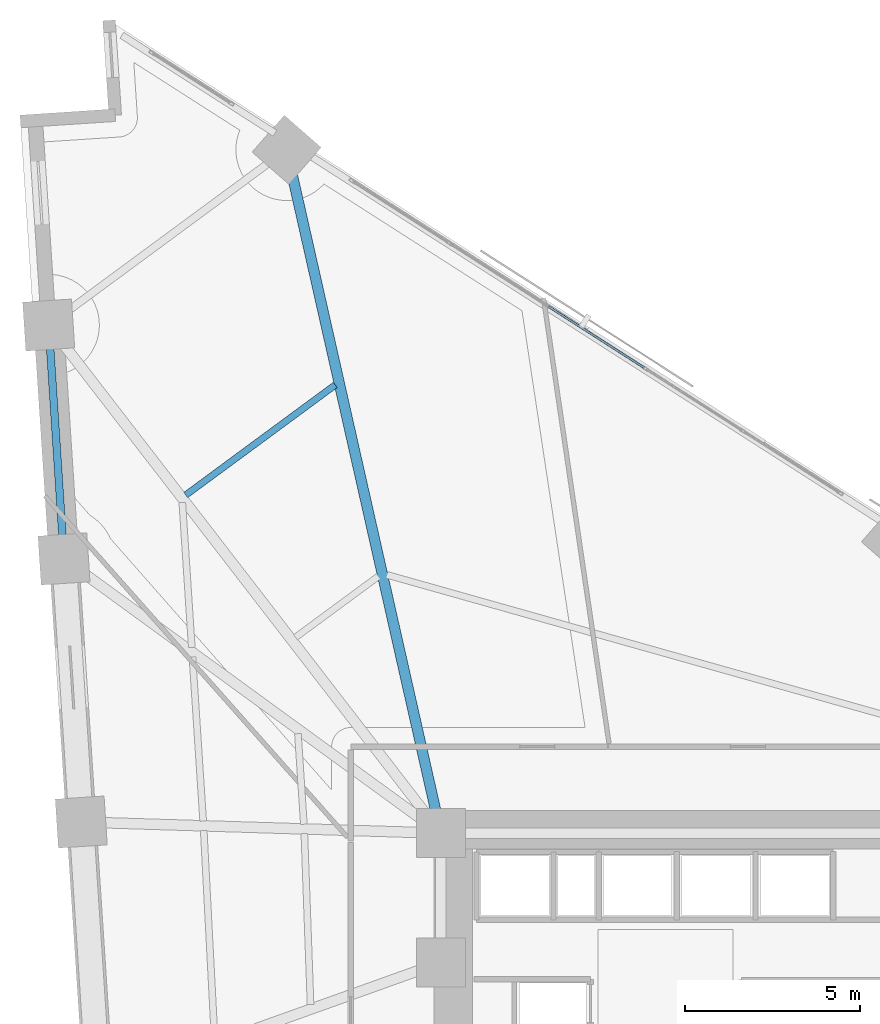
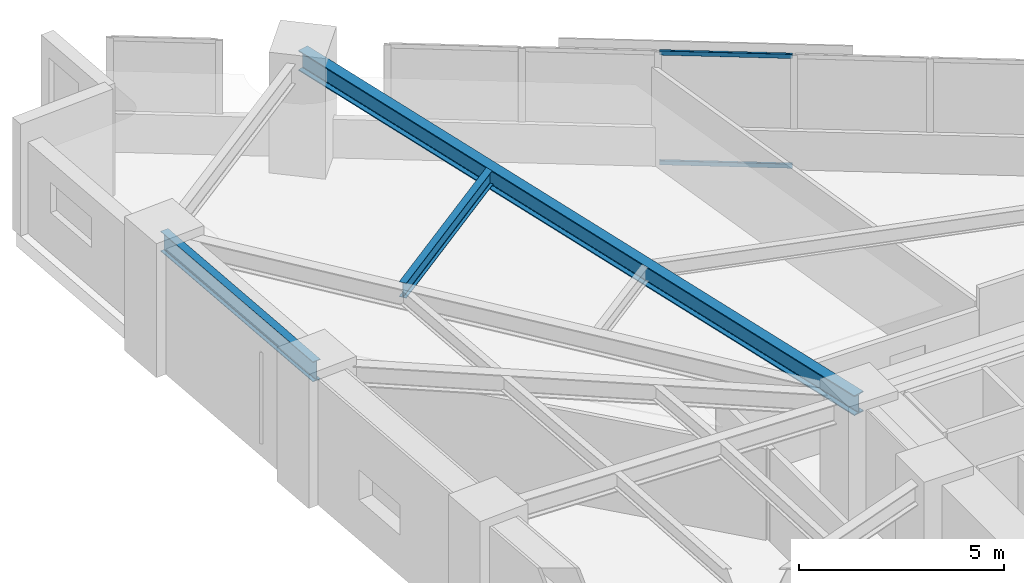
# One storey, part 8 of 17: 3 beams, 2 members, 1 element without a shape of its own.
"""IFC4 building model written with IfcOpenShell, lengths in metres."""

import ifcopenshell
import ifcopenshell.guid

model = None  # the IFC model being written
_history = None  # IfcOwnerHistory: only IFC2X3 demands one
_inside = {}  # id of a spatial element -> (the spatial element, [elements in it])
_under = {}  # id of a project, library or spatial element -> (it, [spatial elements below it])
_declared = {}  # id of a project -> (the project, [libraries it declares])
_typed = {}  # id of a type object -> (the type object, [elements of that type])
_made_of = {}  # id of a material, layer set ... -> (it, [elements and type objects made of it])


def new_model(schema):
    """Start an empty IFC model of exactly this schema.

    Asked for "IFC4X3", IfcOpenShell would pick the latest addendum, in which some entities
    have other attributes; the version numbers below select the first issue.
    IFC2X3 requires an IfcOwnerHistory on every rooted entity: one is made here for all.
    """
    global model, _history
    if schema == "IFC4X3":
        model = ifcopenshell.file(schema_version=(4, 3, 0, 0))
    else:
        model = ifcopenshell.file(schema=schema)
    _inside.clear()
    _under.clear()
    _declared.clear()
    _typed.clear()
    _made_of.clear()
    _history = None
    if model.schema == "IFC2X3":
        org = make("IfcOrganization", Name="unknown")
        user = make(
            "IfcPersonAndOrganization",
            ThePerson=make("IfcPerson", FamilyName="unknown"),
            TheOrganization=org,
        )
        app = make(
            "IfcApplication",
            ApplicationDeveloper=org,
            Version="unknown",
            ApplicationFullName="unknown",
            ApplicationIdentifier="unknown",
        )
        _history = make(
            "IfcOwnerHistory",
            OwningUser=user,
            OwningApplication=app,
            ChangeAction="ADDED",
            CreationDate=0,
        )
    return model


def make(cls, **values):
    """One entity of the class cls with the attributes given. An attribute that is None is left unset."""
    return model.create_entity(
        cls, **{name: value for name, value in values.items() if value is not None}
    )


def rooted(cls, **values):
    """An entity with a GlobalId (a new one), such as an element, a storey or a relation."""
    return make(cls, GlobalId=ifcopenshell.guid.new(), OwnerHistory=_history, **values)


def si_unit(unit_type, name, prefix=None):
    """IfcSIUnit, for example si_unit("LENGTHUNIT", "METRE", prefix="MILLI")."""
    return make("IfcSIUnit", UnitType=unit_type, Prefix=prefix, Name=name)


def assignment(units):
    """IfcUnitAssignment: the units of a project."""
    return None if units is None else make("IfcUnitAssignment", Units=units)


def point(xyz):
    """IfcCartesianPoint."""
    return None if xyz is None else make("IfcCartesianPoint", Coordinates=xyz)


def direction(xyz):
    """IfcDirection."""
    return None if xyz is None else make("IfcDirection", DirectionRatios=xyz)


def frame(location, z_axis=None, x_axis=None):
    """IfcAxis2Placement3D, a coordinate frame: its origin and axes. An axis left out is left unset."""
    return make(
        "IfcAxis2Placement3D",
        Location=point(location),
        Axis=direction(z_axis),
        RefDirection=direction(x_axis),
    )


def frame_2d(location, x_axis=None):
    """IfcAxis2Placement2D, a coordinate frame in the plane: its origin and x axis."""
    return make(
        "IfcAxis2Placement2D", Location=point(location), RefDirection=direction(x_axis)
    )


def origin():
    """The frame at (0, 0, 0) with its axes left unset."""
    return frame((0.0, 0.0, 0.0))


def origin_2d():
    """The frame at (0, 0) in the plane with its x axis left unset."""
    return frame_2d((0.0, 0.0))


def place(relative_to, where):
    """IfcLocalPlacement: puts the frame where relative to a parent placement (None: the world)."""
    return make(
        "IfcLocalPlacement", PlacementRelTo=relative_to, RelativePlacement=where
    )


def context(
    kind, dimensions, precision=None, world=None, true_north=None, identifier=None
):
    """IfcGeometricRepresentationContext, for example the 3D "Model" context."""
    return make(
        "IfcGeometricRepresentationContext",
        ContextIdentifier=identifier,
        ContextType=kind,
        CoordinateSpaceDimension=dimensions,
        Precision=precision,
        WorldCoordinateSystem=world,
        TrueNorth=true_north,
    )


def subcontext(parent, identifier, kind, view, scale=None):
    """IfcGeometricRepresentationSubContext, for example "Body" below "Model"."""
    return make(
        "IfcGeometricRepresentationSubContext",
        ContextIdentifier=identifier,
        ContextType=kind,
        ParentContext=parent,
        TargetScale=scale,
        TargetView=view,
    )


def project(units=None, contexts=None):
    """IfcProject with its units and contexts."""
    return rooted(
        "IfcProject",
        Name="project",
        RepresentationContexts=contexts,
        UnitsInContext=assignment(units),
    )


def spatial(cls, under=None, at=None, **own):
    """A site, building, storey or space (cls), placed at a placement, below another one or the project."""
    s = rooted(cls, ObjectPlacement=at, **own)
    if under is not None:
        _under.setdefault(under.id(), (under, []))[1].append(s)
    return s


def profile(cls, at=None, kind="AREA", **sizes):
    """A parametric profile (cls). Its sizes go by their IFC names, for example OverallWidth=200.0."""
    return make(cls, ProfileType=kind, Position=at, **sizes)


def hollow_rectangle(**sizes):
    """IfcRectangleHollowProfileDef."""
    return profile("IfcRectangleHollowProfileDef", **sizes)


def i_section(**sizes):
    """IfcIShapeProfileDef."""
    return profile("IfcIShapeProfileDef", **sizes)


def extrude(swept, where, along, depth):
    """IfcExtrudedAreaSolid: the profile swept, set in the frame where, extruded along a direction by depth."""
    return make(
        "IfcExtrudedAreaSolid",
        SweptArea=swept,
        Position=where,
        ExtrudedDirection=direction(along),
        Depth=depth,
    )


def shape(context_of_items, identifier, shape_type, items):
    """IfcShapeRepresentation: the items that make up one representation, for example the "Body"."""
    return make(
        "IfcShapeRepresentation",
        ContextOfItems=context_of_items,
        RepresentationIdentifier=identifier,
        RepresentationType=shape_type,
        Items=items,
    )


def material(Name=None, Category=None):
    """IfcMaterial."""
    return make("IfcMaterial", Name=Name, Category=Category)


def material_profile(
    of_material, cross_section, Name=None, Category=None, Priority=None
):
    """IfcMaterialProfile: a cross section and its material."""
    return make(
        "IfcMaterialProfile",
        Name=Name,
        Material=of_material,
        Profile=cross_section,
        Priority=Priority,
        Category=Category,
    )


def profile_set(profiles, Name=None, composite=None):
    """IfcMaterialProfileSet."""
    return make(
        "IfcMaterialProfileSet",
        Name=Name,
        MaterialProfiles=profiles,
        CompositeProfile=composite,
    )


def made_of(thing, what):
    """Note that an element or type object is made of a material, layer set ...; save() writes the relation."""
    if what is not None:
        _made_of.setdefault(what.id(), (what, []))[1].append(thing)
    return thing


def type_object(cls, material=None, **own):
    """A type object (cls), such as IfcWallType, which elements share."""
    return made_of(rooted(cls, **own), material)


def element(
    cls,
    number,
    at=None,
    inside=None,
    cuts=None,
    type_object=None,
    material=None,
    context=None,
    identifier="Body",
    shape_type=None,
    held_by="IfcProductDefinitionShape",
    body=None,
    shapes=None,
    **own,
):
    """One element of the class cls, such as IfcWall. Its Tag is "e" and its number.

    at: its placement. inside: the storey or other place that contains it. cuts: it is an
    opening in that element (IfcRelVoidsElement). A single representation is given by context,
    identifier, shape_type and body (its items); several are given by shapes. held_by: the class
    of the entity that holds the representations. save() writes the other relations.
    """
    e = rooted(cls, Tag="e%d" % number, ObjectPlacement=at, **own)
    if body is not None:
        shapes = [shape(context, identifier, shape_type, body)]
    if shapes is not None:
        e.Representation = make(held_by, Representations=shapes)
    if inside is not None:
        _inside.setdefault(inside.id(), (inside, []))[1].append(e)
    if cuts is not None:
        rooted(
            "IfcRelVoidsElement", RelatingBuildingElement=cuts, RelatedOpeningElement=e
        )
    if type_object is not None:
        _typed.setdefault(type_object.id(), (type_object, []))[1].append(e)
    return made_of(e, material)


def aggregate(whole, parts):
    """IfcRelAggregates: a whole, such as a stair, and the parts it consists of."""
    return rooted("IfcRelAggregates", RelatingObject=whole, RelatedObjects=parts)


def save(model, path):
    """Write the relations noted so far, then the file.

    IfcRelAggregates (storeys below a building ...), IfcRelContainedInSpatialStructure (elements
    in a storey), IfcRelDefinesByType, IfcRelAssociatesMaterial and IfcRelDeclares: one each for
    every whole, place, type object, material and project.
    """
    for whole, parts in _under.values():
        aggregate(whole, parts)
    for where, things in _inside.values():
        rooted(
            "IfcRelContainedInSpatialStructure",
            RelatedElements=things,
            RelatingStructure=where,
        )
    for kind, things in _typed.values():
        rooted("IfcRelDefinesByType", RelatedObjects=things, RelatingType=kind)
    for what, things in _made_of.values():
        rooted("IfcRelAssociatesMaterial", RelatedObjects=things, RelatingMaterial=what)
    for by, libraries in _declared.values():
        rooted("IfcRelDeclares", RelatingContext=by, RelatedDefinitions=libraries)
    model.write(path)


model = new_model("IFC4")

# Units and contexts
model_context = context("Model", 3, precision=1e-05, world=origin(), true_north=direction((0.0, 1.0)))
body_context = subcontext(model_context, "Body", "Model", "MODEL_VIEW")
ifc_project = project(units=[si_unit("LENGTHUNIT", "METRE"), si_unit("AREAUNIT", "SQUARE_METRE"), si_unit("VOLUMEUNIT", "CUBIC_METRE"), si_unit("PLANEANGLEUNIT", "RADIAN"), si_unit("MASSUNIT", "GRAM", prefix="KILO")], contexts=[model_context])

# Site, building, storey
site_placement = place(None, origin())
site = spatial("IfcSite", under=ifc_project, at=site_placement, CompositionType="ELEMENT")
building_placement = place(site_placement, origin())
building = spatial("IfcBuilding", under=site, at=building_placement, Name="Narakoshi Arena Tower", CompositionType="ELEMENT")
storey_placement = place(building_placement, frame((0.0, 0.0, 63.300048828125)))
storey = spatial("IfcBuildingStorey", under=building, at=storey_placement, Name="L16", CompositionType="ELEMENT", Elevation=63.300048828125)

# Beams
ifc_material_1 = material(Name="Structural steel S355J2", Category="steel")
ifc_material_profile_1 = material_profile(ifc_material_1, i_section(OverallWidth=0.219970703125, OverallDepth=0.60009765625, WebThickness=0.011962890625, FlangeThickness=0.01904296875, FilletRadius=0.02392578125, at=origin_2d()), Name="IPE600")
ifc_profile_set_1 = profile_set([ifc_material_profile_1], Name="Structural steel S355J2")
beam_type_1 = type_object("IfcBeamType", Name="BM-EDGE-600", PredefinedType="BEAM", material=ifc_profile_set_1)
beam_1_placement = place(storey_placement, frame((60.785400390625, 71.031005859375, 3.0400390625), z_axis=(0.065421350693, -0.997857728774, 0.0), x_axis=(0.997857728774, 0.065421350693, 0.0)))
element("IfcBeam", 1, at=beam_1_placement, inside=storey, type_object=beam_type_1, Name="L16 Perimeter Edge Girder 12", PredefinedType="BEAM", context=body_context, shape_type="SweptSolid", body=[
    extrude(i_section(OverallWidth=0.219970703125, OverallDepth=0.60009765625, WebThickness=0.011962890625, FlangeThickness=0.01904296875, FilletRadius=0.02392578125, at=origin_2d()), origin(), (0.0, 0.0, 1.0), 6.702392578125),
])
ifc_material_profile_2 = material_profile(ifc_material_1, i_section(OverallWidth=0.300048828125, OverallDepth=0.60009765625, WebThickness=0.015380859375, FlangeThickness=0.030029296875, FilletRadius=0.027099609375, at=origin_2d()), Name="HE600B")
ifc_profile_set_2 = profile_set([ifc_material_profile_2], Name="Structural steel S355J2")
beam_type_2 = type_object("IfcBeamType", Name="BM-PRI-600", PredefinedType="BEAM", material=ifc_profile_set_2)
beam_2_placement = place(storey_placement, frame((72.0, 56.5, 3.0400390625), z_axis=(-0.220123978285, 0.975471903329, 0.0), x_axis=(-0.975471903329, -0.220123978285, 0.0)))
element("IfcBeam", 2, at=beam_2_placement, inside=storey, type_object=beam_type_2, Name="L16 Radial Primary Floor Girder 11", PredefinedType="BEAM", context=body_context, shape_type="SweptSolid", body=[
    extrude(i_section(OverallWidth=0.300048828125, OverallDepth=0.60009765625, WebThickness=0.015380859375, FlangeThickness=0.030029296875, FilletRadius=0.027099609375, at=origin_2d()), origin(), (0.0, 0.0, 1.0), 20.034912109375),
])
ifc_material_profile_3 = material_profile(ifc_material_1, i_section(OverallWidth=0.18994140625, OverallDepth=0.449951171875, WebThickness=0.009521484375, FlangeThickness=0.0146484375, FilletRadius=0.02099609375, at=origin_2d()), Name="IPE450")
ifc_profile_set_3 = profile_set([ifc_material_profile_3], Name="Structural steel S355J2")
beam_type_3 = type_object("IfcBeamType", Name="BM-SEC-450", PredefinedType="JOIST", material=ifc_profile_set_3)
beam_3_placement = place(storey_placement, frame((68.980712890625, 69.318603515625, 3.114990234375), z_axis=(-0.805130974255, -0.593097053015, 0.0), x_axis=(0.593097053015, -0.805130974255, 0.0)))
element("IfcBeam", 3, at=beam_3_placement, inside=storey, type_object=beam_type_3, Name="L16 Composite Secondary Floor Joist 11", PredefinedType="JOIST", context=body_context, shape_type="SweptSolid", body=[
    extrude(i_section(OverallWidth=0.18994140625, OverallDepth=0.449951171875, WebThickness=0.009521484375, FlangeThickness=0.0146484375, FilletRadius=0.02099609375, at=origin_2d()), origin(), (0.0, 0.0, 1.0), 5.30810546875),
])

# Curtain wall, members
ifc_material_2 = material(Name="Anodised bronze aluminium 6063-T6", Category="aluminium")
curtain_wall_type = type_object("IfcCurtainWallType", Name="CW-HYP-LOW", PredefinedType="NOTDEFINED", material=ifc_material_2)
curtain_wall_placement = place(storey_placement, origin())
curtain_wall = element("IfcCurtainWall", 4, at=curtain_wall_placement, inside=storey, type_object=curtain_wall_type, Name="L16 Folded Hypotenuse Curtain Wall 2-2", PredefinedType="NOTDEFINED")
ifc_material_profile_4 = material_profile(ifc_material_2, hollow_rectangle(XDim=0.06494140625, YDim=0.1298828125, WallThickness=0.00390625, OuterFilletRadius=0.0048828125, at=origin_2d()), Name="TRN130x65x4")
ifc_profile_set_4 = profile_set([ifc_material_profile_4], Name="Anodised bronze aluminium 6063-T6")
member_type = type_object("IfcMemberType", Name="MEM-TRN-130", PredefinedType="USERDEFINED", material=ifc_profile_set_4)
member_1_placement = place(storey_placement, frame((77.81201171875, 69.813720703125, 0.032470703125), z_axis=(-0.842407668774, 0.5388407182, 0.0), x_axis=(-0.5388407182, -0.842407668774, 0.0)))
member_1 = element("IfcMember", 5, at=member_1_placement, type_object=member_type, Name="CW-01 transom 3.1", ObjectType="TRANSOM", PredefinedType="USERDEFINED", context=body_context, shape_type="SweptSolid", body=[
    extrude(hollow_rectangle(XDim=0.06494140625, YDim=0.1298828125, WallThickness=0.00390625, OuterFilletRadius=0.0048828125, at=origin_2d()), origin(), (0.0, 0.0, 1.0), 3.253173828125),
])
member_2_placement = place(storey_placement, frame((77.81201171875, 69.813720703125, 3.307373046875), z_axis=(-0.842407668774, 0.5388407182, 0.0), x_axis=(-0.5388407182, -0.842407668774, 0.0)))
member_2 = element("IfcMember", 6, at=member_2_placement, type_object=member_type, Name="CW-01 transom 3.2", ObjectType="TRANSOM", PredefinedType="USERDEFINED", context=body_context, shape_type="SweptSolid", body=[
    extrude(hollow_rectangle(XDim=0.06494140625, YDim=0.1298828125, WallThickness=0.00390625, OuterFilletRadius=0.0048828125, at=origin_2d()), origin(), (0.0, 0.0, 1.0), 3.253173828125),
])
aggregate(curtain_wall, [member_1, member_2])

save(model, "model.ifc")
